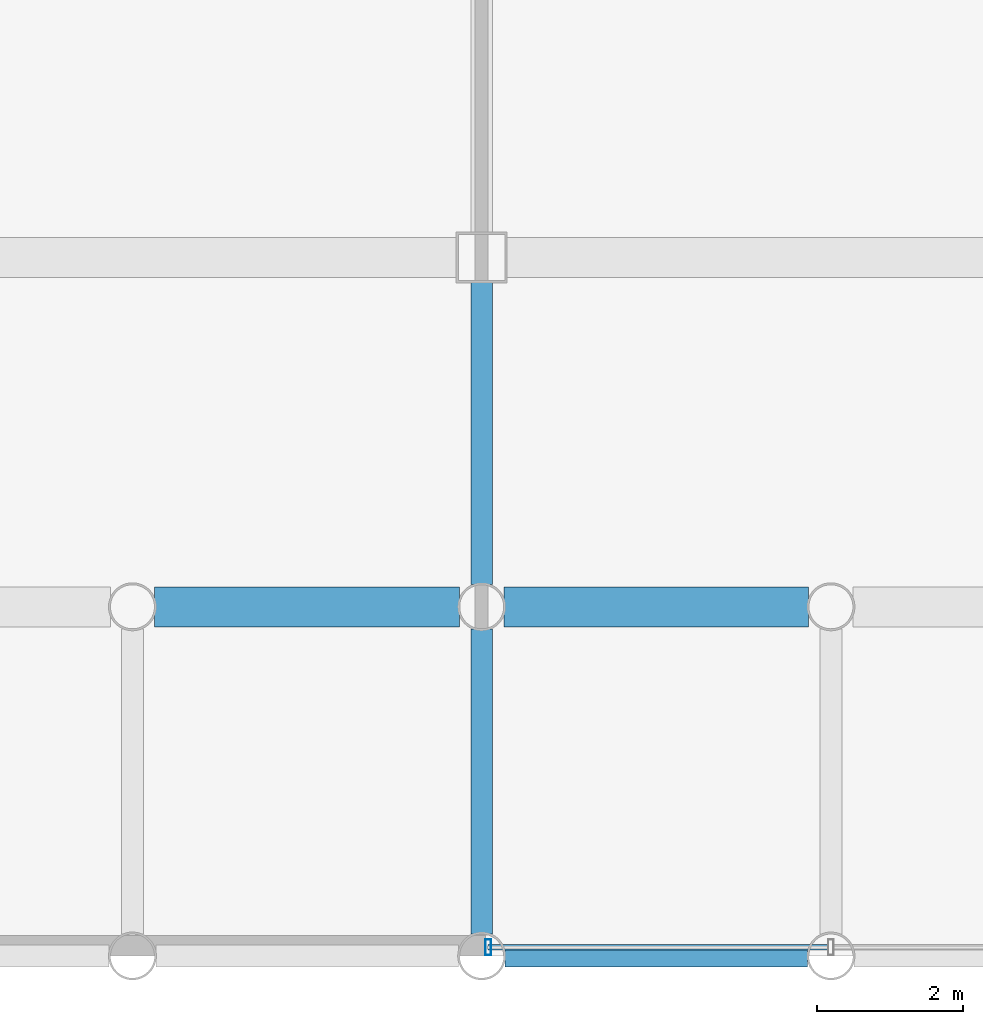
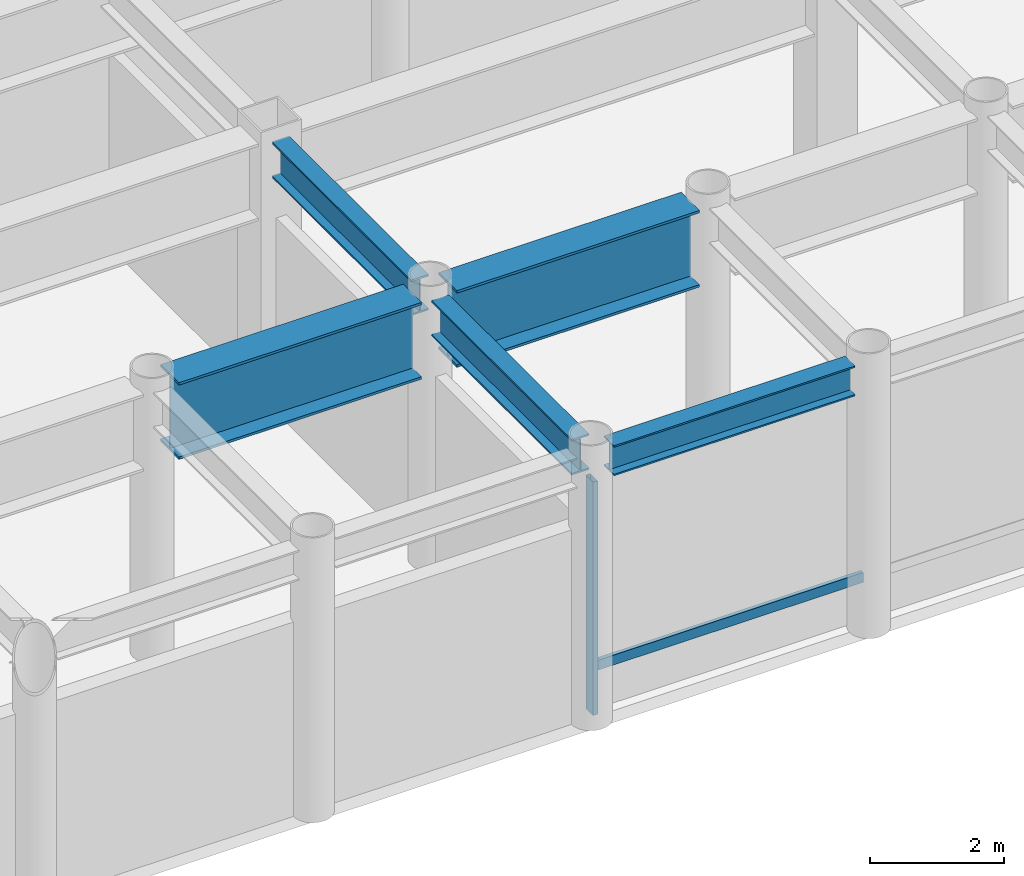
# One storey, part 2 of 20: 5 beams, 2 members, 1 element without a shape of its own.
"""IFC4 building model written with IfcOpenShell, lengths in metres."""

from ifc_helpers import new_model, si_unit, direction, frame, origin, origin_2d, place, context, subcontext, project, spatial, hollow_rectangle, i_section, extrude, material, layer, layer_set, material_profile, profile_set, type_object, element, aggregate, save


model = new_model("IFC4")

# Units and contexts
model_context = context("Model", 3, precision=1e-05, world=origin(), true_north=direction((0.0, 1.0)))
body_context = subcontext(model_context, "Body", "Model", "MODEL_VIEW")
ifc_project = project(units=[si_unit("LENGTHUNIT", "METRE"), si_unit("AREAUNIT", "SQUARE_METRE"), si_unit("VOLUMEUNIT", "CUBIC_METRE"), si_unit("PLANEANGLEUNIT", "RADIAN"), si_unit("MASSUNIT", "GRAM", prefix="KILO")], contexts=[model_context])

# Site, building, storey
site_placement = place(None, origin())
site = spatial("IfcSite", under=ifc_project, at=site_placement, CompositionType="ELEMENT")
building_placement = place(site_placement, origin())
building = spatial("IfcBuilding", under=site, at=building_placement, Name="Kallvorn Hotel Tower", CompositionType="ELEMENT")
storey_placement = place(building_placement, frame((0.0, 0.0, 180.300048828125)))
storey = spatial("IfcBuildingStorey", under=building, at=storey_placement, Name="L45", CompositionType="ELEMENT", Elevation=180.300048828125)

# Beams
ifc_material_1 = material(Name="Structural steel S355JR", Category="steel")
ifc_material_profile_1 = material_profile(ifc_material_1, i_section(OverallWidth=0.300048828125, OverallDepth=0.550048828125, WebThickness=0.014892578125, FlangeThickness=0.029052734375, at=origin_2d()), Name="HE 550 B")
ifc_profile_set_1 = profile_set([ifc_material_profile_1], Name="Structural steel S355JR")
beam_type_1 = type_object("IfcBeamType", Name="BM_HE550B", PredefinedType="SPANDREL", material=ifc_profile_set_1)
beam_1_placement = place(storey_placement, frame((-4.47998046875, -24.0, 4.675048828125), z_axis=(1.0, 0.0, 0.0), x_axis=(0.0, 1.0, 0.0)))
element("IfcBeam", 1, at=beam_1_placement, inside=storey, type_object=beam_type_1, Name="L46 Perimeter Spandrel 156", PredefinedType="SPANDREL", context=body_context, shape_type="SweptSolid", body=[
    extrude(i_section(OverallWidth=0.300048828125, OverallDepth=0.550048828125, WebThickness=0.014892578125, FlangeThickness=0.029052734375, at=origin_2d()), origin(), (0.0, 0.0, 1.0), 4.159912109375),
])
ifc_material_2 = material(Name="Structural steel S355JR", Category="steel")
ifc_material_profile_2 = material_profile(ifc_material_2, i_section(OverallWidth=0.300048828125, OverallDepth=0.64990234375, WebThickness=0.01611328125, FlangeThickness=0.031005859375, at=origin_2d()), Name="HE 650 B")
ifc_profile_set_2 = profile_set([ifc_material_profile_2], Name="Structural steel S355JR")
beam_type_2 = type_object("IfcBeamType", Name="BM_HE650B", PredefinedType="BEAM", material=ifc_profile_set_2)
beam_2_placement = place(storey_placement, frame((-4.800048828125, -23.695068359375, 4.625), z_axis=(0.0, 1.0, 0.0), x_axis=(-1.0, 0.0, 0.0)))
element("IfcBeam", 2, at=beam_2_placement, inside=storey, type_object=beam_type_2, Name="L46 Primary Y-Girder 106", PredefinedType="BEAM", context=body_context, shape_type="SweptSolid", body=[
    extrude(i_section(OverallWidth=0.300048828125, OverallDepth=0.64990234375, WebThickness=0.01611328125, FlangeThickness=0.031005859375, at=origin_2d()), origin(), (0.0, 0.0, 1.0), 4.190185546875),
])
beam_3_placement = place(storey_placement, frame((-4.800048828125, -18.89501953125, 4.625), z_axis=(0.0, 1.0, 0.0), x_axis=(-1.0, 0.0, 0.0)))
element("IfcBeam", 3, at=beam_3_placement, inside=storey, type_object=beam_type_2, Name="L46 Primary Y-Girder 107", PredefinedType="BEAM", context=body_context, shape_type="SweptSolid", body=[
    extrude(i_section(OverallWidth=0.300048828125, OverallDepth=0.64990234375, WebThickness=0.01611328125, FlangeThickness=0.031005859375, at=origin_2d()), origin(), (0.0, 0.0, 1.0), 4.169921875),
])
ifc_material_3 = material(Name="Structural steel S355JR", Category="steel")
ifc_material_profile_3 = material_profile(ifc_material_3, i_section(OverallWidth=0.550048828125, OverallDepth=1.39990234375, WebThickness=0.02490234375, FlangeThickness=0.044921875, at=origin_2d()), Name="PG 1400x550x25x45")
ifc_profile_set_3 = profile_set([ifc_material_profile_3], Name="Structural steel S355JR")
beam_type_3 = type_object("IfcBeamType", Name="BM_PG_1400", PredefinedType="BEAM", material=ifc_profile_set_3)
beam_4_placement = place(storey_placement, frame((-9.294921875, -19.199951171875, 4.25), z_axis=(1.0, 0.0, 0.0), x_axis=(0.0, 1.0, 0.0)))
element("IfcBeam", 4, at=beam_4_placement, inside=storey, type_object=beam_type_3, Name="L46 Primary X-Girder 06", PredefinedType="BEAM", context=body_context, shape_type="SweptSolid", body=[
    extrude(i_section(OverallWidth=0.550048828125, OverallDepth=1.39990234375, WebThickness=0.02490234375, FlangeThickness=0.044921875, at=origin_2d()), origin(), (0.0, 0.0, 1.0), 4.18994140625),
])
beam_5_placement = place(storey_placement, frame((-4.4951171875, -19.199951171875, 4.25), z_axis=(1.0, 0.0, 0.0), x_axis=(0.0, 1.0, 0.0)))
element("IfcBeam", 5, at=beam_5_placement, inside=storey, type_object=beam_type_3, Name="L46 Primary X-Girder 07", PredefinedType="BEAM", context=body_context, shape_type="SweptSolid", body=[
    extrude(i_section(OverallWidth=0.550048828125, OverallDepth=1.39990234375, WebThickness=0.02490234375, FlangeThickness=0.044921875, at=origin_2d()), origin(), (0.0, 0.0, 1.0), 4.190185546875),
])

# Curtain wall, members
ifc_material_4 = material(Name="Thermally broken black-anodised aluminium AA 6063-T6", Category="aluminium")
ifc_layer = layer(ifc_material_4, 0.22998046875)
ifc_layer_set = layer_set([ifc_layer], Name="CW_SYS_5_HOTEL_HIGH")
curtain_wall_type = type_object("IfcCurtainWallType", Name="CW_SYS_5_HOTEL_HIGH", PredefinedType="USERDEFINED", material=ifc_layer_set)
curtain_wall_placement = place(storey_placement, origin())
curtain_wall = element("IfcCurtainWall", 6, at=curtain_wall_placement, inside=storey, type_object=curtain_wall_type, Name="L45 Dark-Glass Curtain Wall CW-L45-SC", ObjectType="UNITISED CURTAIN WALL", PredefinedType="USERDEFINED")
ifc_material_5 = material(Name="Thermally broken black-anodised aluminium AA 6063-T6", Category="aluminium")
ifc_material_profile_4 = material_profile(ifc_material_5, hollow_rectangle(XDim=0.080078125, YDim=0.219970703125, WallThickness=0.0048828125, at=origin_2d()), Name="MUL 220x80")
ifc_profile_set_4 = profile_set([ifc_material_profile_4], Name="Thermally broken black-anodised aluminium AA 6063-T6")
member_type_1 = type_object("IfcMemberType", Name="CW_MULLION_220x80", PredefinedType="MULLION", material=ifc_profile_set_4)
member_1_placement = place(storey_placement, frame((-4.7099609375, -23.8798828125, 0.02001953125), z_axis=(0.0, 0.0, 1.0), x_axis=(1.0, 0.0, 0.0)))
member_1 = element("IfcMember", 7, at=member_1_placement, type_object=member_type_1, Name="CW-L45-SC Mullion 00", PredefinedType="MULLION", context=body_context, shape_type="SweptSolid", body=[
    extrude(hollow_rectangle(XDim=0.080078125, YDim=0.219970703125, WallThickness=0.0048828125, at=origin_2d()), origin(), (0.0, 0.0, 1.0), 4.260009765625),
])
ifc_material_6 = material(Name="Thermally broken black-anodised aluminium AA 6063-T6", Category="aluminium")
ifc_material_profile_5 = material_profile(ifc_material_6, hollow_rectangle(XDim=0.070068359375, YDim=0.179931640625, WallThickness=0.00390625, at=origin_2d()), Name="TRN 180x70")
ifc_profile_set_5 = profile_set([ifc_material_profile_5], Name="Thermally broken black-anodised aluminium AA 6063-T6")
member_type_2 = type_object("IfcMemberType", Name="CW_TRANSOM_180x70", PredefinedType="USERDEFINED", material=ifc_profile_set_5)
member_2_placement = place(storey_placement, frame((-4.7099609375, -23.8798828125, 0.849853515625), z_axis=(1.0, 0.0, 0.0), x_axis=(0.0, 1.0, 0.0)))
member_2 = element("IfcMember", 8, at=member_2_placement, type_object=member_type_2, Name="CW-L45-SC Transom 00M", ObjectType="TRANSOM", PredefinedType="USERDEFINED", context=body_context, shape_type="SweptSolid", body=[
    extrude(hollow_rectangle(XDim=0.070068359375, YDim=0.179931640625, WallThickness=0.00390625, at=origin_2d()), origin(), (0.0, 0.0, 1.0), 4.669921875),
])
aggregate(curtain_wall, [member_1, member_2])

save(model, "model.ifc")
